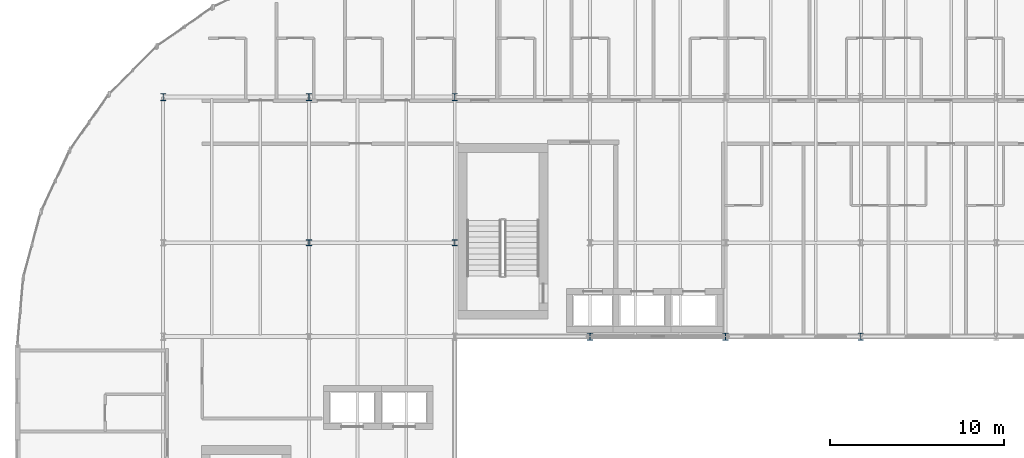
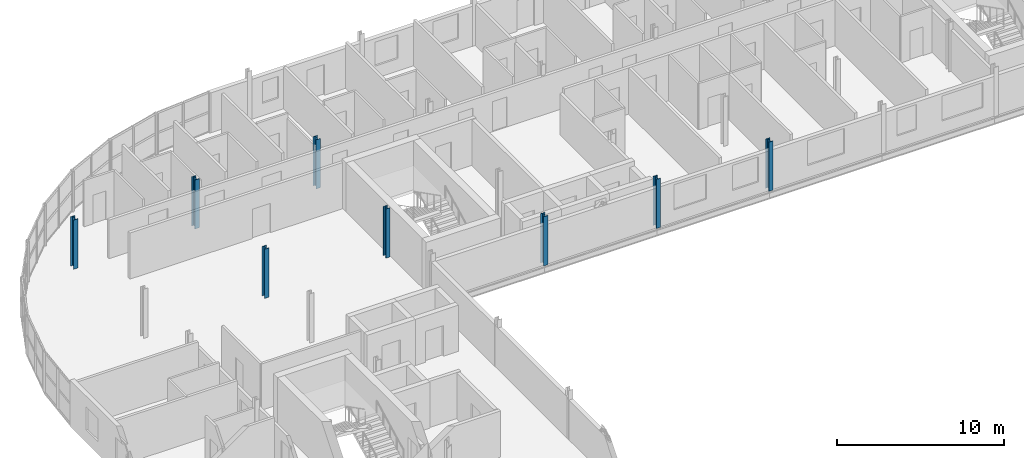
# One storey, part 2 of 25: 8 columns.
"""IFC4 building model written with IfcOpenShell, lengths in metres."""

from ifc_helpers import new_model, si_unit, direction, frame, origin, origin_2d, place, context, subcontext, project, spatial, i_section, extrude, material, material_profile, profile_set, type_object, element, save


model = new_model("IFC4")

# Units and contexts
model_context = context("Model", 3, precision=1e-05, world=origin(), true_north=direction((0.0, 1.0)))
body_context = subcontext(model_context, "Body", "Model", "MODEL_VIEW")
ifc_project = project(units=[si_unit("LENGTHUNIT", "METRE"), si_unit("AREAUNIT", "SQUARE_METRE"), si_unit("VOLUMEUNIT", "CUBIC_METRE"), si_unit("PLANEANGLEUNIT", "RADIAN"), si_unit("MASSUNIT", "GRAM", prefix="KILO")], contexts=[model_context])

# Site, building, storey
site_placement = place(None, origin())
site = spatial("IfcSite", under=ifc_project, at=site_placement, CompositionType="ELEMENT")
building_placement = place(site_placement, origin())
building = spatial("IfcBuilding", under=site, at=building_placement, Name="Sefraquen Railside Congress Hotel", CompositionType="ELEMENT")
storey_placement = place(building_placement, frame((0.0, 0.0, 39.0)))
storey = spatial("IfcBuildingStorey", under=building, at=storey_placement, Name="L09", CompositionType="ELEMENT", Elevation=39.0)

# Columns
ifc_material = material(Name="Steel S355JR", Category="steel")
ifc_material_profile_1 = material_profile(ifc_material, i_section(OverallWidth=0.300048828125, OverallDepth=0.340087890625, WebThickness=0.011962890625, FlangeThickness=0.021484375, FilletRadius=0.027099609375, at=origin_2d()), Name="HEB 340")
ifc_profile_set_1 = profile_set([ifc_material_profile_1], Name="Steel S355JR")
column_type_1 = type_object("IfcColumnType", Name="TC-HEB-340", PredefinedType="COLUMN", material=ifc_profile_set_1)
for number, where, z_axis, x_axis, name in (
    (1, (16.800048828125, 101.39990234375, 0.0), (0.0, 0.0, 1.0), (1.0, 0.0, 0.0), "Structural column 3-N L09"),
    (2, (25.199951171875, 101.39990234375, 0.0), (0.0, 0.0, 1.0), (1.0, 0.0, 0.0), "Structural column 4-N L09"),
):
    element("IfcColumn", number, at=place(storey_placement, frame(where, z_axis=z_axis, x_axis=x_axis)), inside=storey, type_object=column_type_1, Name=name, PredefinedType="COLUMN", context=body_context, shape_type="SweptSolid", body=[
        extrude(i_section(OverallWidth=0.300048828125, OverallDepth=0.340087890625, WebThickness=0.011962890625, FlangeThickness=0.021484375, FilletRadius=0.027099609375, at=origin_2d()), origin(), (0.0, 0.0, 1.0), 3.60009765625),
    ])
ifc_material_profile_2 = material_profile(ifc_material, i_section(OverallWidth=0.300048828125, OverallDepth=0.39990234375, WebThickness=0.013427734375, FlangeThickness=0.02392578125, FilletRadius=0.027099609375, at=origin_2d()), Name="HEB 400")
ifc_profile_set_2 = profile_set([ifc_material_profile_2], Name="Steel S355JR")
column_type_2 = type_object("IfcColumnType", Name="TC-HEB-400", PredefinedType="COLUMN", material=ifc_profile_set_2)
for number, where, z_axis, x_axis, name in (
    (3, (8.39990234375, 109.800048828125, 0.0), (0.0, 0.0, 1.0), (1.0, 0.0, 0.0), "Structural column 2-P L09"),
    (4, (16.800048828125, 109.800048828125, 0.0), (0.0, 0.0, 1.0), (1.0, 0.0, 0.0), "Structural column 3-P L09"),
    (5, (25.199951171875, 109.800048828125, 0.0), (0.0, 0.0, 1.0), (1.0, 0.0, 0.0), "Structural column 4-P L09"),
    (6, (33.0, 96.0, 0.0), (0.0, 0.0, 1.0), (1.0, 0.0, 0.0), "Structural column 5-M L09"),
    (7, (40.800048828125, 96.0, 0.0), (0.0, 0.0, 1.0), (1.0, 0.0, 0.0), "Structural column 6-M L09"),
    (8, (48.60009765625, 96.0, 0.0), (0.0, 0.0, 1.0), (1.0, 0.0, 0.0), "Structural column 7-M L09"),
):
    element("IfcColumn", number, at=place(storey_placement, frame(where, z_axis=z_axis, x_axis=x_axis)), inside=storey, type_object=column_type_2, Name=name, PredefinedType="COLUMN", context=body_context, shape_type="SweptSolid", body=[
        extrude(i_section(OverallWidth=0.300048828125, OverallDepth=0.39990234375, WebThickness=0.013427734375, FlangeThickness=0.02392578125, FilletRadius=0.027099609375, at=origin_2d()), origin(), (0.0, 0.0, 1.0), 3.60009765625),
    ])

save(model, "model.ifc")
